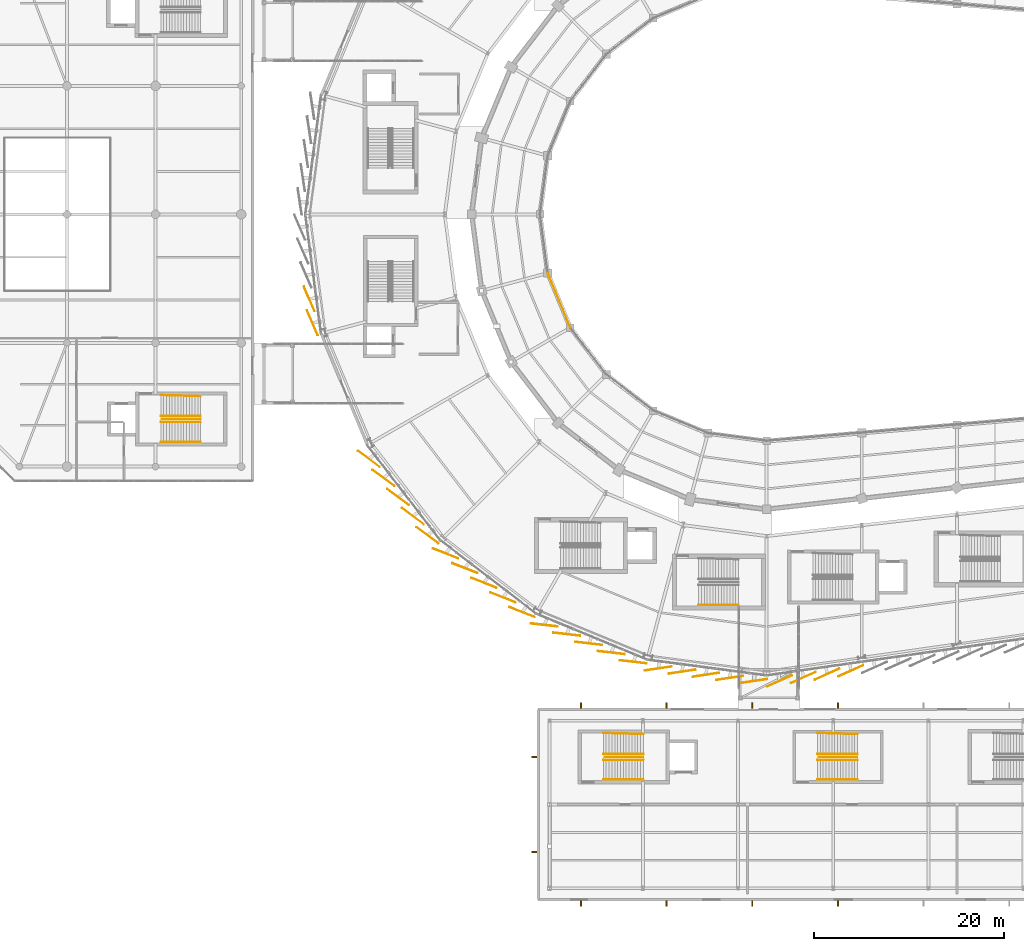
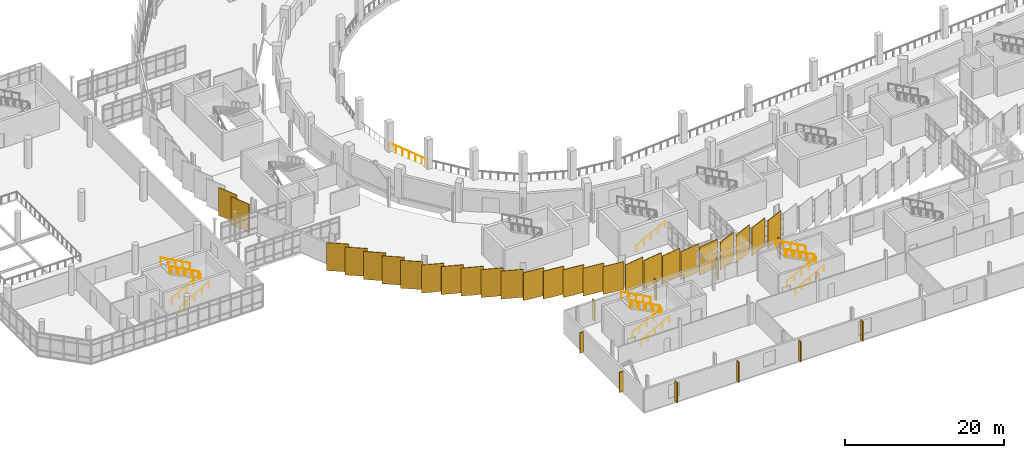
# One storey, part 116 of 125: 26 coverings, 17 railings, 10 shading devices.
"""IFC4 building model written with IfcOpenShell, lengths in metres."""

from ifc_helpers import new_model, si_unit, direction, frame, origin, origin_2d, place, context, subcontext, project, spatial, rectangle, circle, extrude, material, layer, layer_set, type_object, element, save


model = new_model("IFC4")

# Units and contexts
model_context = context("Model", 3, precision=1e-05, world=origin(), true_north=direction((0.0, 1.0)))
body_context = subcontext(model_context, "Body", "Model", "MODEL_VIEW")
ifc_project = project(units=[si_unit("LENGTHUNIT", "METRE"), si_unit("AREAUNIT", "SQUARE_METRE"), si_unit("VOLUMEUNIT", "CUBIC_METRE"), si_unit("PLANEANGLEUNIT", "RADIAN"), si_unit("MASSUNIT", "GRAM", prefix="KILO")], contexts=[model_context])

# Site, building, storey
site_placement = place(None, origin())
site = spatial("IfcSite", under=ifc_project, at=site_placement, CompositionType="ELEMENT")
building_placement = place(site_placement, origin())
building = spatial("IfcBuilding", under=site, at=building_placement, Name="Sohan Crest Arena", CompositionType="ELEMENT")
storey_placement = place(building_placement, frame((0.0, 0.0, 9.0)))
storey = spatial("IfcBuildingStorey", under=building, at=storey_placement, Name="L02", CompositionType="ELEMENT", Elevation=9.0)

# Railings
ifc_material_1 = material(Name="Powder-coated wrought steel balustrade", Category="steel")
railing_type_1 = type_object("IfcRailingType", Name="ARC-GRD-01", PredefinedType="GUARDRAIL", material=ifc_material_1)
for number, where, name in (
    (1, (107.530029296875, 21.0, 2.25), "Stair well slot guard GRD-069"),
    (2, (38.530029296875, 56.5, 2.25), "Stair well slot guard GRD-073"),
    (3, (85.030029296875, 21.0, 2.25), "Stair well slot guard GRD-090"),
):
    element("IfcRailing", number, at=place(storey_placement, frame(where)), inside=storey, type_object=railing_type_1, Name=name, PredefinedType="GUARDRAIL", context=body_context, shape_type="SweptSolid", body=[
        extrude(circle(Radius=0.02392578125, at=origin_2d()), frame((0.0, 0.0, 1.076171875), z_axis=(-0.87313487534, 0.0, 0.487478706678), x_axis=(0.0, -1.0, 0.0)), (0.0, 0.0, 1.0), 4.615478515625),
        extrude(circle(Radius=0.02099609375, at=origin_2d()), origin(), (0.0, 0.0, 1.0), 1.052001953125),
        extrude(circle(Radius=0.02099609375, at=origin_2d()), frame((-1.007568359375, 0.0, 0.5625)), (0.0, 0.0, 1.0), 1.052001953125),
        extrude(circle(Radius=0.02099609375, at=origin_2d()), frame((-2.01513671875, 0.0, 1.125)), (0.0, 0.0, 1.0), 1.052001953125),
        extrude(circle(Radius=0.02099609375, at=origin_2d()), frame((-3.0224609375, 0.0, 1.6875)), (0.0, 0.0, 1.0), 1.052001953125),
        extrude(circle(Radius=0.02099609375, at=origin_2d()), frame((-4.030029296875, 0.0, 2.25)), (0.0, 0.0, 1.0), 1.052001953125),
    ])
ifc_material_2 = material(Name="Laminated glass and steel sightline guard", Category="steel")
railing_type_2 = type_object("IfcRailingType", Name="ARC-GRD-02", PredefinedType="GUARDRAIL", material=ifc_material_2)
railing_1_placement = place(storey_placement, frame((75.02587890625, 71.802978515625, 0.0)))
element("IfcRailing", 4, at=railing_1_placement, inside=storey, type_object=railing_type_2, Name="Bowl gallery edge guard GRD-225", PredefinedType="GUARDRAIL", context=body_context, shape_type="SweptSolid", body=[
    extrude(circle(Radius=0.02392578125, at=origin_2d()), frame((0.0, 0.0, 1.1259765625), z_axis=(0.38285098495, -0.923810112157, 0.0), x_axis=(0.923810112157, 0.38285098495, 0.0)), (0.0, 0.0, 1.0), 6.13330078125),
    extrude(circle(Radius=0.02099609375, at=origin_2d()), origin(), (0.0, 0.0, 1.0), 1.101806640625),
    extrude(circle(Radius=0.02099609375, at=origin_2d()), frame((0.391357421875, -0.9443359375, 0.0)), (0.0, 0.0, 1.0), 1.101806640625),
    extrude(circle(Radius=0.02099609375, at=origin_2d()), frame((0.78271484375, -1.888671875, 0.0)), (0.0, 0.0, 1.0), 1.101806640625),
    extrude(circle(Radius=0.02099609375, at=origin_2d()), frame((1.174072265625, -2.8330078125, 0.0)), (0.0, 0.0, 1.0), 1.101806640625),
    extrude(circle(Radius=0.02099609375, at=origin_2d()), frame((1.5654296875, -3.77734375, 0.0)), (0.0, 0.0, 1.0), 1.101806640625),
    extrude(circle(Radius=0.02099609375, at=origin_2d()), frame((1.956787109375, -4.7216796875, 0.0)), (0.0, 0.0, 1.0), 1.101806640625),
    extrude(circle(Radius=0.02099609375, at=origin_2d()), frame((2.34814453125, -5.666015625, 0.0)), (0.0, 0.0, 1.0), 1.101806640625),
])
ifc_material_3 = material(Name="Brushed stainless steel stair handrail", Category="steel")
railing_type_3 = type_object("IfcRailingType", Name="ARC-HR-01", PredefinedType="HANDRAIL", material=ifc_material_3)
for number, where, name in (
    (5, (103.35009765625, 18.610107421875, 0.0), "Stair pitch handrail HR-229"),
    (6, (103.35009765625, 20.68994140625, 0.0), "Stair pitch handrail HR-230"),
):
    element("IfcRailing", number, at=place(storey_placement, frame(where)), inside=storey, type_object=railing_type_3, Name=name, PredefinedType="HANDRAIL", context=body_context, shape_type="SweptSolid", body=[
        extrude(circle(Radius=0.02392578125, at=origin_2d()), frame((0.0, 0.0, 0.97607421875), z_axis=(0.881477684796, 0.0, 0.472225678258), x_axis=(0.0, 1.0, 0.0)), (0.0, 0.0, 1.0), 4.7646484375),
        extrude(circle(Radius=0.02099609375, at=origin_2d()), origin(), (0.0, 0.0, 1.0), 0.951904296875),
        extrude(circle(Radius=0.02099609375, at=origin_2d()), frame((1.050048828125, 0.0, 0.5625)), (0.0, 0.0, 1.0), 0.951904296875),
        extrude(circle(Radius=0.02099609375, at=origin_2d()), frame((2.10009765625, 0.0, 1.125)), (0.0, 0.0, 1.0), 0.951904296875),
        extrude(circle(Radius=0.02099609375, at=origin_2d()), frame((3.14990234375, 0.0, 1.6875)), (0.0, 0.0, 1.0), 0.951904296875),
        extrude(circle(Radius=0.02099609375, at=origin_2d()), frame((4.199951171875, 0.0, 2.25)), (0.0, 0.0, 1.0), 0.951904296875),
    ])
railing_2_placement = place(storey_placement, frame((107.550048828125, 21.31005859375, 2.25)))
element("IfcRailing", 7, at=railing_2_placement, inside=storey, type_object=railing_type_3, Name="Stair pitch handrail HR-231", PredefinedType="HANDRAIL", context=body_context, shape_type="SweptSolid", body=[
    extrude(circle(Radius=0.02392578125, at=origin_2d()), frame((0.0, 0.0, 0.97607421875), z_axis=(-0.881477684796, 0.0, 0.472225678258), x_axis=(0.0, -1.0, 0.0)), (0.0, 0.0, 1.0), 4.7646484375),
    extrude(circle(Radius=0.02099609375, at=origin_2d()), origin(), (0.0, 0.0, 1.0), 0.951904296875),
    extrude(circle(Radius=0.02099609375, at=origin_2d()), frame((-1.050048828125, 0.0, 0.5625)), (0.0, 0.0, 1.0), 0.951904296875),
    extrude(circle(Radius=0.02099609375, at=origin_2d()), frame((-2.10009765625, 0.0, 1.125)), (0.0, 0.0, 1.0), 0.951904296875),
    extrude(circle(Radius=0.02099609375, at=origin_2d()), frame((-3.14990234375, 0.0, 1.6875)), (0.0, 0.0, 1.0), 0.951904296875),
    extrude(circle(Radius=0.02099609375, at=origin_2d()), frame((-4.199951171875, 0.0, 2.25)), (0.0, 0.0, 1.0), 0.951904296875),
])
railing_3_placement = place(storey_placement, frame((107.550048828125, 23.389892578125, 2.25)))
element("IfcRailing", 8, at=railing_3_placement, inside=storey, type_object=railing_type_3, Name="Stair pitch handrail HR-232", PredefinedType="HANDRAIL", context=body_context, shape_type="SweptSolid", body=[
    extrude(circle(Radius=0.02392578125, at=origin_2d()), frame((0.0, 0.0, 0.97607421875), z_axis=(-0.881197710057, 0.025201957411, 0.472075690047), x_axis=(-0.028587973606, -0.999591280357, 0.0)), (0.0, 0.0, 1.0), 4.76611328125),
    extrude(circle(Radius=0.02099609375, at=origin_2d()), origin(), (0.0, 0.0, 1.0), 0.951904296875),
    extrude(circle(Radius=0.02099609375, at=origin_2d()), frame((-1.050048828125, 0.030029296875, 0.5625)), (0.0, 0.0, 1.0), 0.951904296875),
    extrude(circle(Radius=0.02099609375, at=origin_2d()), frame((-2.10009765625, 0.06005859375, 1.125)), (0.0, 0.0, 1.0), 0.951904296875),
    extrude(circle(Radius=0.02099609375, at=origin_2d()), frame((-3.14990234375, 0.090087890625, 1.6875)), (0.0, 0.0, 1.0), 0.951904296875),
    extrude(circle(Radius=0.02099609375, at=origin_2d()), frame((-4.199951171875, 0.1201171875, 2.25)), (0.0, 0.0, 1.0), 0.951904296875),
])
for number, where, name in (
    (9, (34.35009765625, 54.110107421875, 0.0), "Stair pitch handrail HR-241"),
    (10, (34.35009765625, 56.18994140625, 0.0), "Stair pitch handrail HR-242"),
):
    element("IfcRailing", number, at=place(storey_placement, frame(where)), inside=storey, type_object=railing_type_3, Name=name, PredefinedType="HANDRAIL", context=body_context, shape_type="SweptSolid", body=[
        extrude(circle(Radius=0.02392578125, at=origin_2d()), frame((0.0, 0.0, 0.97607421875), z_axis=(0.881477684796, 0.0, 0.472225678258), x_axis=(0.0, 1.0, 0.0)), (0.0, 0.0, 1.0), 4.7646484375),
        extrude(circle(Radius=0.02099609375, at=origin_2d()), origin(), (0.0, 0.0, 1.0), 0.951904296875),
        extrude(circle(Radius=0.02099609375, at=origin_2d()), frame((1.050048828125, 0.0, 0.5625)), (0.0, 0.0, 1.0), 0.951904296875),
        extrude(circle(Radius=0.02099609375, at=origin_2d()), frame((2.10009765625, 0.0, 1.125)), (0.0, 0.0, 1.0), 0.951904296875),
        extrude(circle(Radius=0.02099609375, at=origin_2d()), frame((3.14990234375, 0.0, 1.6875)), (0.0, 0.0, 1.0), 0.951904296875),
        extrude(circle(Radius=0.02099609375, at=origin_2d()), frame((4.199951171875, 0.0, 2.25)), (0.0, 0.0, 1.0), 0.951904296875),
    ])
railing_4_placement = place(storey_placement, frame((38.550048828125, 56.81005859375, 2.25)))
element("IfcRailing", 11, at=railing_4_placement, inside=storey, type_object=railing_type_3, Name="Stair pitch handrail HR-243", PredefinedType="HANDRAIL", context=body_context, shape_type="SweptSolid", body=[
    extrude(circle(Radius=0.02392578125, at=origin_2d()), frame((0.0, 0.0, 0.97607421875), z_axis=(-0.881477684796, 0.0, 0.472225678258), x_axis=(0.0, -1.0, 0.0)), (0.0, 0.0, 1.0), 4.7646484375),
    extrude(circle(Radius=0.02099609375, at=origin_2d()), origin(), (0.0, 0.0, 1.0), 0.951904296875),
    extrude(circle(Radius=0.02099609375, at=origin_2d()), frame((-1.050048828125, 0.0, 0.5625)), (0.0, 0.0, 1.0), 0.951904296875),
    extrude(circle(Radius=0.02099609375, at=origin_2d()), frame((-2.10009765625, 0.0, 1.125)), (0.0, 0.0, 1.0), 0.951904296875),
    extrude(circle(Radius=0.02099609375, at=origin_2d()), frame((-3.14990234375, 0.0, 1.6875)), (0.0, 0.0, 1.0), 0.951904296875),
    extrude(circle(Radius=0.02099609375, at=origin_2d()), frame((-4.199951171875, 0.0, 2.25)), (0.0, 0.0, 1.0), 0.951904296875),
])
railing_5_placement = place(storey_placement, frame((38.550048828125, 58.889892578125, 2.25)))
element("IfcRailing", 12, at=railing_5_placement, inside=storey, type_object=railing_type_3, Name="Stair pitch handrail HR-244", PredefinedType="HANDRAIL", context=body_context, shape_type="SweptSolid", body=[
    extrude(circle(Radius=0.02392578125, at=origin_2d()), frame((0.0, 0.0, 0.97607421875), z_axis=(-0.881197710057, 0.025201957411, 0.472075690047), x_axis=(-0.028587973606, -0.999591280357, 0.0)), (0.0, 0.0, 1.0), 4.76611328125),
    extrude(circle(Radius=0.02099609375, at=origin_2d()), origin(), (0.0, 0.0, 1.0), 0.951904296875),
    extrude(circle(Radius=0.02099609375, at=origin_2d()), frame((-1.050048828125, 0.030029296875, 0.5625)), (0.0, 0.0, 1.0), 0.951904296875),
    extrude(circle(Radius=0.02099609375, at=origin_2d()), frame((-2.10009765625, 0.06005859375, 1.125)), (0.0, 0.0, 1.0), 0.951904296875),
    extrude(circle(Radius=0.02099609375, at=origin_2d()), frame((-3.14990234375, 0.090087890625, 1.6875)), (0.0, 0.0, 1.0), 0.951904296875),
    extrude(circle(Radius=0.02099609375, at=origin_2d()), frame((-4.199951171875, 0.1201171875, 2.25)), (0.0, 0.0, 1.0), 0.951904296875),
])
for number, where, name in (
    (13, (80.85009765625, 18.610107421875, 0.0), "Stair pitch handrail HR-293"),
    (14, (80.85009765625, 20.68994140625, 0.0), "Stair pitch handrail HR-294"),
):
    element("IfcRailing", number, at=place(storey_placement, frame(where)), inside=storey, type_object=railing_type_3, Name=name, PredefinedType="HANDRAIL", context=body_context, shape_type="SweptSolid", body=[
        extrude(circle(Radius=0.02392578125, at=origin_2d()), frame((0.0, 0.0, 0.97607421875), z_axis=(0.881477684796, 0.0, 0.472225678258), x_axis=(0.0, 1.0, 0.0)), (0.0, 0.0, 1.0), 4.7646484375),
        extrude(circle(Radius=0.02099609375, at=origin_2d()), origin(), (0.0, 0.0, 1.0), 0.951904296875),
        extrude(circle(Radius=0.02099609375, at=origin_2d()), frame((1.050048828125, 0.0, 0.5625)), (0.0, 0.0, 1.0), 0.951904296875),
        extrude(circle(Radius=0.02099609375, at=origin_2d()), frame((2.10009765625, 0.0, 1.125)), (0.0, 0.0, 1.0), 0.951904296875),
        extrude(circle(Radius=0.02099609375, at=origin_2d()), frame((3.14990234375, 0.0, 1.6875)), (0.0, 0.0, 1.0), 0.951904296875),
        extrude(circle(Radius=0.02099609375, at=origin_2d()), frame((4.199951171875, 0.0, 2.25)), (0.0, 0.0, 1.0), 0.951904296875),
    ])
railing_6_placement = place(storey_placement, frame((85.050048828125, 21.31005859375, 2.25)))
element("IfcRailing", 15, at=railing_6_placement, inside=storey, type_object=railing_type_3, Name="Stair pitch handrail HR-295", PredefinedType="HANDRAIL", context=body_context, shape_type="SweptSolid", body=[
    extrude(circle(Radius=0.02392578125, at=origin_2d()), frame((0.0, 0.0, 0.97607421875), z_axis=(-0.881477684796, 0.0, 0.472225678258), x_axis=(0.0, -1.0, 0.0)), (0.0, 0.0, 1.0), 4.7646484375),
    extrude(circle(Radius=0.02099609375, at=origin_2d()), origin(), (0.0, 0.0, 1.0), 0.951904296875),
    extrude(circle(Radius=0.02099609375, at=origin_2d()), frame((-1.050048828125, 0.0, 0.5625)), (0.0, 0.0, 1.0), 0.951904296875),
    extrude(circle(Radius=0.02099609375, at=origin_2d()), frame((-2.10009765625, 0.0, 1.125)), (0.0, 0.0, 1.0), 0.951904296875),
    extrude(circle(Radius=0.02099609375, at=origin_2d()), frame((-3.14990234375, 0.0, 1.6875)), (0.0, 0.0, 1.0), 0.951904296875),
    extrude(circle(Radius=0.02099609375, at=origin_2d()), frame((-4.199951171875, 0.0, 2.25)), (0.0, 0.0, 1.0), 0.951904296875),
])
railing_7_placement = place(storey_placement, frame((85.050048828125, 23.389892578125, 2.25)))
element("IfcRailing", 16, at=railing_7_placement, inside=storey, type_object=railing_type_3, Name="Stair pitch handrail HR-296", PredefinedType="HANDRAIL", context=body_context, shape_type="SweptSolid", body=[
    extrude(circle(Radius=0.02392578125, at=origin_2d()), frame((0.0, 0.0, 0.97607421875), z_axis=(-0.881197710057, 0.025201957411, 0.472075690047), x_axis=(-0.028587973606, -0.999591280357, 0.0)), (0.0, 0.0, 1.0), 4.76611328125),
    extrude(circle(Radius=0.02099609375, at=origin_2d()), origin(), (0.0, 0.0, 1.0), 0.951904296875),
    extrude(circle(Radius=0.02099609375, at=origin_2d()), frame((-1.050048828125, 0.030029296875, 0.5625)), (0.0, 0.0, 1.0), 0.951904296875),
    extrude(circle(Radius=0.02099609375, at=origin_2d()), frame((-2.10009765625, 0.06005859375, 1.125)), (0.0, 0.0, 1.0), 0.951904296875),
    extrude(circle(Radius=0.02099609375, at=origin_2d()), frame((-3.14990234375, 0.090087890625, 1.6875)), (0.0, 0.0, 1.0), 0.951904296875),
    extrude(circle(Radius=0.02099609375, at=origin_2d()), frame((-4.199951171875, 0.1201171875, 2.25)), (0.0, 0.0, 1.0), 0.951904296875),
])
railing_8_placement = place(storey_placement, frame((90.85009765625, 36.969970703125, 0.0)))
element("IfcRailing", 17, at=railing_8_placement, inside=storey, type_object=railing_type_3, Name="Stair pitch handrail HR-333", PredefinedType="HANDRAIL", context=body_context, shape_type="SweptSolid", body=[
    extrude(circle(Radius=0.02392578125, at=origin_2d()), frame((0.0, 0.0, 0.97607421875), z_axis=(0.881477684796, 0.0, 0.472225678258), x_axis=(0.0, 1.0, 0.0)), (0.0, 0.0, 1.0), 4.7646484375),
    extrude(circle(Radius=0.02099609375, at=origin_2d()), origin(), (0.0, 0.0, 1.0), 0.951904296875),
    extrude(circle(Radius=0.02099609375, at=origin_2d()), frame((1.050048828125, 0.0, 0.5625)), (0.0, 0.0, 1.0), 0.951904296875),
    extrude(circle(Radius=0.02099609375, at=origin_2d()), frame((2.10009765625, 0.0, 1.125)), (0.0, 0.0, 1.0), 0.951904296875),
    extrude(circle(Radius=0.02099609375, at=origin_2d()), frame((3.14990234375, 0.0, 1.6875)), (0.0, 0.0, 1.0), 0.951904296875),
    extrude(circle(Radius=0.02099609375, at=origin_2d()), frame((4.199951171875, 0.0, 2.25)), (0.0, 0.0, 1.0), 0.951904296875),
])

# Shading devices
ifc_material_4 = material(Name="Glazed terracotta ceramic solar fin", Category="masonry")
ifc_layer_1 = layer(ifc_material_4, 0.070068359375, Name="Glazed terracotta ceramic solar fin")
ifc_layer_set_1 = layer_set([ifc_layer_1], Name="Glazed terracotta ceramic solar fin")
shading_device_type = type_object("IfcShadingDeviceType", Name="ARC-SHD-FIN1", PredefinedType="USERDEFINED", material=ifc_layer_set_1)
for number, where, z_axis, x_axis, name in (
    (18, (78.5, 5.60009765625, 0.199951171875), (0.0, 0.0, 1.0), (1.0, 0.0, 0.0), "Catalan terracotta facade fin FIN-075"),
    (19, (87.5, 5.60009765625, 0.199951171875), (0.0, 0.0, 1.0), (1.0, 0.0, 0.0), "Catalan terracotta facade fin FIN-076"),
    (20, (96.5, 5.60009765625, 0.199951171875), (0.0, 0.0, 1.0), (1.0, 0.0, 0.0), "Catalan terracotta facade fin FIN-077"),
    (21, (105.5, 5.60009765625, 0.199951171875), (0.0, 0.0, 1.0), (1.0, 0.0, 0.0), "Catalan terracotta facade fin FIN-078"),
    (22, (105.5, 26.39990234375, 0.199951171875), (0.0, 0.0, 1.0), (-1.0, 0.0, 0.0), "Catalan terracotta facade fin FIN-093"),
    (23, (96.5, 26.39990234375, 0.199951171875), (0.0, 0.0, 1.0), (-1.0, 0.0, 0.0), "Catalan terracotta facade fin FIN-094"),
    (24, (87.5, 26.39990234375, 0.199951171875), (0.0, 0.0, 1.0), (-1.0, 0.0, 0.0), "Catalan terracotta facade fin FIN-095"),
    (25, (78.5, 26.39990234375, 0.199951171875), (0.0, 0.0, 1.0), (-1.0, 0.0, 0.0), "Catalan terracotta facade fin FIN-096"),
    (26, (73.60009765625, 21.0, 0.199951171875), (0.0, 0.0, 1.0), (0.0, -1.0, 0.0), "Catalan terracotta facade fin FIN-097"),
    (27, (73.60009765625, 11.0, 0.199951171875), (0.0, 0.0, 1.0), (0.0, -1.0, 0.0), "Catalan terracotta facade fin FIN-098"),
):
    element("IfcShadingDevice", number, at=place(storey_placement, frame(where, z_axis=z_axis, x_axis=x_axis)), inside=storey, type_object=shading_device_type, Name=name, ObjectType="FIN", PredefinedType="USERDEFINED", context=body_context, shape_type="SweptSolid", body=[
        extrude(rectangle(XDim=0.139892578125, YDim=0.550048828125, at=origin_2d()), origin(), (0.0, 0.0, 1.0), 3.10009765625),
    ])

# Coverings
ifc_material_5 = material(Name="Glazed ivory trencadis ceramic cladding", Category="masonry")
ifc_layer_2 = layer(ifc_material_5, 0.06494140625, Name="Glazed ivory trencadis ceramic cladding")
ifc_layer_set_2 = layer_set([ifc_layer_2], Name="Glazed ivory trencadis ceramic cladding")
covering_type_1 = type_object("IfcCoveringType", Name="COV-SC-IV", PredefinedType="CLADDING", material=ifc_layer_set_2)
for number, where, z_axis, x_axis, name in (
    (28, (49.951904296875, 69.123046875, -0.2001953125), (0.0, 0.0, 1.0), (0.398749068925, -0.917060074385, 0.0), "Rotated trencadis ceramic scale panel SC-0159"),
    (29, (56.2080078125, 52.30908203125, -0.2001953125), (0.0, 0.0, 1.0), (0.803856860617, -0.594822786751, 0.0), "Rotated trencadis ceramic scale panel SC-0161"),
    (30, (57.748046875, 50.302001953125, -0.2001953125), (0.0, 0.0, 1.0), (0.803856860617, -0.594822786751, 0.0), "Rotated trencadis ceramic scale panel SC-0162"),
    (31, (60.827880859375, 46.2890625, -0.2001953125), (0.0, 0.0, 1.0), (0.803856860617, -0.594822786751, 0.0), "Rotated trencadis ceramic scale panel SC-0164"),
    (32, (62.367919921875, 44.281982421875, -0.2001953125), (0.0, 0.0, 1.0), (0.803856860617, -0.594822786751, 0.0), "Rotated trencadis ceramic scale panel SC-0165"),
    (33, (64.281982421875, 42.367919921875, -0.2001953125), (0.0, 0.0, 1.0), (0.930417567982, -0.366501226724, 0.0), "Rotated trencadis ceramic scale panel SC-0166"),
    (34, (68.294921875, 39.2880859375, -0.2001953125), (0.0, 0.0, 1.0), (0.930417567982, -0.366501226724, 0.0), "Rotated trencadis ceramic scale panel SC-0168"),
    (35, (70.302001953125, 37.748046875, -0.2001953125), (0.0, 0.0, 1.0), (0.930417567982, -0.366501226724, 0.0), "Rotated trencadis ceramic scale panel SC-0169"),
    (36, (72.30908203125, 36.2080078125, -0.2001953125), (0.0, 0.0, 1.0), (0.930417567982, -0.366501226724, 0.0), "Rotated trencadis ceramic scale panel SC-0170"),
    (37, (76.989990234375, 33.886962890625, -0.2001953125), (0.0, 0.0, 1.0), (0.993571855677, -0.113203213768, 0.0), "Rotated trencadis ceramic scale panel SC-0172"),
    (38, (79.326904296875, 32.9189453125, -0.2001953125), (0.0, 0.0, 1.0), (0.993571855677, -0.113203213768, 0.0), "Rotated trencadis ceramic scale panel SC-0173"),
    (39, (81.6640625, 31.950927734375, -0.2001953125), (0.0, 0.0, 1.0), (0.993571855677, -0.113203213768, 0.0), "Rotated trencadis ceramic scale panel SC-0174"),
    (40, (84.0009765625, 30.98291015625, -0.2001953125), (0.0, 0.0, 1.0), (0.993571855677, -0.113203213768, 0.0), "Rotated trencadis ceramic scale panel SC-0175"),
    (41, (86.614990234375, 30.281982421875, -0.2001953125), (0.0, 0.0, 1.0), (0.989015863362, 0.14780941113, 0.0), "Rotated trencadis ceramic scale panel SC-0176"),
    (42, (89.123046875, 29.951904296875, -0.2001953125), (0.0, 0.0, 1.0), (0.989015863362, 0.14780941113, 0.0), "Rotated trencadis ceramic scale panel SC-0177"),
    (43, (91.631103515625, 29.6220703125, -0.2001953125), (0.0, 0.0, 1.0), (0.989015863362, 0.14780941113, 0.0), "Rotated trencadis ceramic scale panel SC-0178"),
    (44, (94.138916015625, 29.2919921875, -0.2001953125), (0.0, 0.0, 1.0), (0.989015863362, 0.14780941113, 0.0), "Rotated trencadis ceramic scale panel SC-0179"),
    (45, (99.35791015625, 28.97607421875, -0.2001953125), (0.0, 0.0, 1.0), (0.912834177233, 0.408330460381, 0.0), "Rotated trencadis ceramic scale panel SC-0181"),
    (46, (101.85791015625, 29.333984375, -0.2001953125), (0.0, 0.0, 1.0), (0.912834177233, 0.408330460381, 0.0), "Rotated trencadis ceramic scale panel SC-0182"),
    (47, (104.35791015625, 29.69091796875, -0.2001953125), (0.0, 0.0, 1.0), (0.912834177233, 0.408330460381, 0.0), "Rotated trencadis ceramic scale panel SC-0183"),
):
    element("IfcCovering", number, at=place(storey_placement, frame(where, z_axis=z_axis, x_axis=x_axis)), inside=storey, type_object=covering_type_1, Name=name, PredefinedType="CLADDING", context=body_context, shape_type="SweptSolid", body=[
        extrude(rectangle(XDim=2.85009765625, YDim=0.06494140625, at=origin_2d()), origin(), (0.0, 0.0, 1.0), 4.300048828125),
    ])
ifc_material_6 = material(Name="Glazed terracotta trencadis ceramic cladding", Category="masonry")
ifc_layer_3 = layer(ifc_material_6, 0.074951171875, Name="Glazed terracotta trencadis ceramic cladding")
ifc_layer_set_3 = layer_set([ifc_layer_3], Name="Glazed terracotta trencadis ceramic cladding")
covering_type_2 = type_object("IfcCoveringType", Name="COV-SC-TC", PredefinedType="CLADDING", material=ifc_layer_set_3)
for number, where, z_axis, x_axis, name in (
    (48, (50.281982421875, 66.614990234375, -0.2001953125), (0.0, 0.0, 1.0), (0.398749068925, -0.917060074385, 0.0), "Rotated trencadis ceramic scale panel SC-0160"),
    (49, (59.2880859375, 48.294921875, -0.2001953125), (0.0, 0.0, 1.0), (0.803856860617, -0.594822786751, 0.0), "Rotated trencadis ceramic scale panel SC-0163"),
    (50, (66.2890625, 40.827880859375, -0.2001953125), (0.0, 0.0, 1.0), (0.930417567982, -0.366501226724, 0.0), "Rotated trencadis ceramic scale panel SC-0167"),
    (51, (74.653076171875, 34.85498046875, -0.2001953125), (0.0, 0.0, 1.0), (0.993571855677, -0.113203213768, 0.0), "Rotated trencadis ceramic scale panel SC-0171"),
    (52, (96.64697265625, 28.9619140625, -0.2001953125), (0.0, 0.0, 1.0), (0.989015863362, 0.14780941113, 0.0), "Rotated trencadis ceramic scale panel SC-0180"),
    (53, (106.85791015625, 30.048095703125, -0.2001953125), (0.0, 0.0, 1.0), (0.912834177233, 0.408330460381, 0.0), "Rotated trencadis ceramic scale panel SC-0184"),
):
    element("IfcCovering", number, at=place(storey_placement, frame(where, z_axis=z_axis, x_axis=x_axis)), inside=storey, type_object=covering_type_2, Name=name, PredefinedType="CLADDING", context=body_context, shape_type="SweptSolid", body=[
        extrude(rectangle(XDim=2.85009765625, YDim=0.074951171875, at=origin_2d()), origin(), (0.0, 0.0, 1.0), 4.300048828125),
    ])

save(model, "model.ifc")
